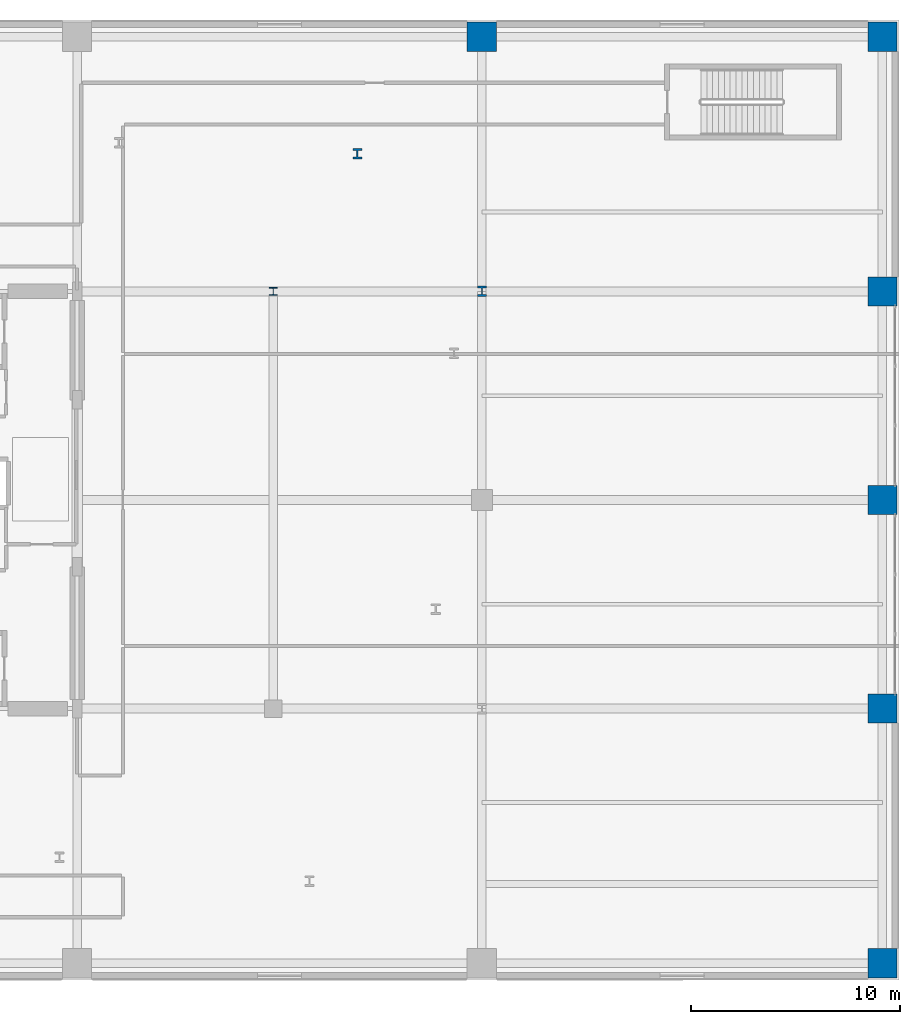
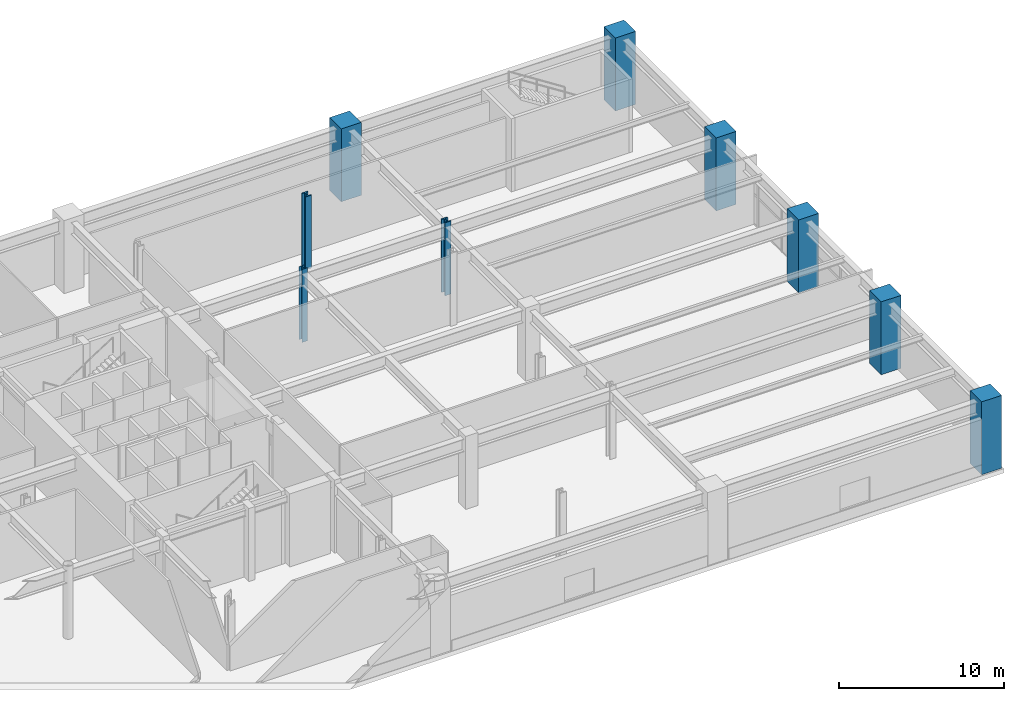
# One storey, part 3 of 28: 9 columns.
"""IFC4 building model written with IfcOpenShell, lengths in metres."""

from ifc_helpers import new_model, si_unit, direction, frame, origin, origin_2d, place, context, subcontext, project, spatial, rectangle, i_section, extrude, material, material_profile, profile_set, type_object, element, save


model = new_model("IFC4")

# Units and contexts
model_context = context("Model", 3, precision=1e-05, world=origin(), true_north=direction((0.0, 1.0)))
body_context = subcontext(model_context, "Body", "Model", "MODEL_VIEW")
ifc_project = project(units=[si_unit("LENGTHUNIT", "METRE"), si_unit("AREAUNIT", "SQUARE_METRE"), si_unit("VOLUMEUNIT", "CUBIC_METRE"), si_unit("PLANEANGLEUNIT", "RADIAN"), si_unit("MASSUNIT", "GRAM", prefix="KILO")], contexts=[model_context])

# Site, building, storey
site_placement = place(None, origin())
site = spatial("IfcSite", under=ifc_project, at=site_placement, CompositionType="ELEMENT")
building_placement = place(site_placement, origin())
building = spatial("IfcBuilding", under=site, at=building_placement, Name="Soratama Intermodal Tower", CompositionType="ELEMENT")
storey_placement = place(building_placement, frame((0.0, 0.0, 6.0)))
storey = spatial("IfcBuildingStorey", under=building, at=storey_placement, Name="L01", CompositionType="ELEMENT", Elevation=6.0)

# Columns
ifc_material_1 = material(Name="Structural steel ASTM A992 Grade 50", Category="steel")
ifc_material_profile_1 = material_profile(ifc_material_1, i_section(OverallWidth=0.39404296875, OverallDepth=0.375, WebThickness=0.017333984375, FlangeThickness=0.027587890625, FilletRadius=0.0380859375, at=origin_2d()), Name="W14X145")
ifc_profile_set_1 = profile_set([ifc_material_profile_1], Name="Structural steel ASTM A992 Grade 50")
column_type_1 = type_object("IfcColumnType", Name="COL-INT-W14X145", PredefinedType="COLUMN", material=ifc_profile_set_1)
column_placement = place(storey_placement, frame((54.0, 35.0, 0.0), z_axis=(0.0, 0.0, 1.0), x_axis=(1.0, 0.0, 0.0)))
element("IfcColumn", 1, at=column_placement, inside=storey, type_object=column_type_1, Name="L01 Station Column P26", PredefinedType="COLUMN", context=body_context, shape_type="SweptSolid", body=[
    extrude(i_section(OverallWidth=0.39404296875, OverallDepth=0.375, WebThickness=0.017333984375, FlangeThickness=0.027587890625, FilletRadius=0.0380859375, at=origin_2d()), origin(), (0.0, 0.0, 1.0), 5.39990234375),
])
ifc_material_2 = material(Name="Concrete f'c 56 MPa", Category="concrete")
ifc_material_profile_2 = material_profile(ifc_material_2, rectangle(XDim=1.39990234375, YDim=1.39990234375, at=origin_2d()), Name="RC1400X1400")
ifc_profile_set_2 = profile_set([ifc_material_profile_2], Name="Concrete f'c 56 MPa")
column_type_2 = type_object("IfcColumnType", Name="COL-POD-EXT-RC1400", PredefinedType="COLUMN", material=ifc_profile_set_2)
for number, where, z_axis, x_axis, name in (
    (2, (83.199951171875, 2.800048828125, 0.0), (0.0, 0.0, 1.0), (1.0, 0.0, 0.0), "L01 Station Column P04"),
    (3, (83.199951171875, 15.0, 0.0), (0.0, 0.0, 1.0), (1.0, 0.0, 0.0), "L01 Station Column P08"),
    (4, (83.199951171875, 35.0, 0.0), (0.0, 0.0, 1.0), (1.0, 0.0, 0.0), "L01 Station Column P12"),
    (5, (64.0, 47.199951171875, 0.0), (0.0, 0.0, 1.0), (1.0, 0.0, 0.0), "L01 Station Column P15"),
    (6, (83.199951171875, 47.199951171875, 0.0), (0.0, 0.0, 1.0), (1.0, 0.0, 0.0), "L01 Station Column P16"),
    (7, (83.199951171875, 25.0, 0.0), (0.0, 0.0, 1.0), (1.0, 0.0, 0.0), "L01 Station Column P20"),
):
    element("IfcColumn", number, at=place(storey_placement, frame(where, z_axis=z_axis, x_axis=x_axis)), inside=storey, type_object=column_type_2, Name=name, PredefinedType="COLUMN", context=body_context, shape_type="SweptSolid", body=[
        extrude(rectangle(XDim=1.39990234375, YDim=1.39990234375, at=origin_2d()), origin(), (0.0, 0.0, 1.0), 5.39990234375),
    ])
ifc_material_3 = material(Name="Structural steel ASTM A992 Grade 50", Category="steel")
ifc_material_profile_3 = material_profile(ifc_material_3, i_section(OverallWidth=0.431884765625, OverallDepth=0.498046875, WebThickness=0.0556640625, FlangeThickness=0.0888671875, FilletRadius=0.0380859375, at=origin_2d()), Name="W14X500")
ifc_profile_set_3 = profile_set([ifc_material_profile_3], Name="Structural steel ASTM A992 Grade 50")
column_type_3 = type_object("IfcColumnType", Name="COL-POD-W14X500", PredefinedType="COLUMN", material=ifc_profile_set_3)
for number, where, z_axis, x_axis, name in (
    (8, (64.0, 35.0, 0.0), (0.0, 0.0, 1.0), (1.0, 0.0, 0.0), "L01 Station Column P11"),
    (9, (58.031982421875, 41.594970703125, 0.0), (0.0, 0.0, 1.0), (1.0, 0.0, 0.0), "L01 Station Column P30"),
):
    element("IfcColumn", number, at=place(storey_placement, frame(where, z_axis=z_axis, x_axis=x_axis)), inside=storey, type_object=column_type_3, Name=name, PredefinedType="COLUMN", context=body_context, shape_type="SweptSolid", body=[
        extrude(i_section(OverallWidth=0.431884765625, OverallDepth=0.498046875, WebThickness=0.0556640625, FlangeThickness=0.0888671875, FilletRadius=0.0380859375, at=origin_2d()), origin(), (0.0, 0.0, 1.0), 5.39990234375),
    ])

save(model, "model.ifc")
